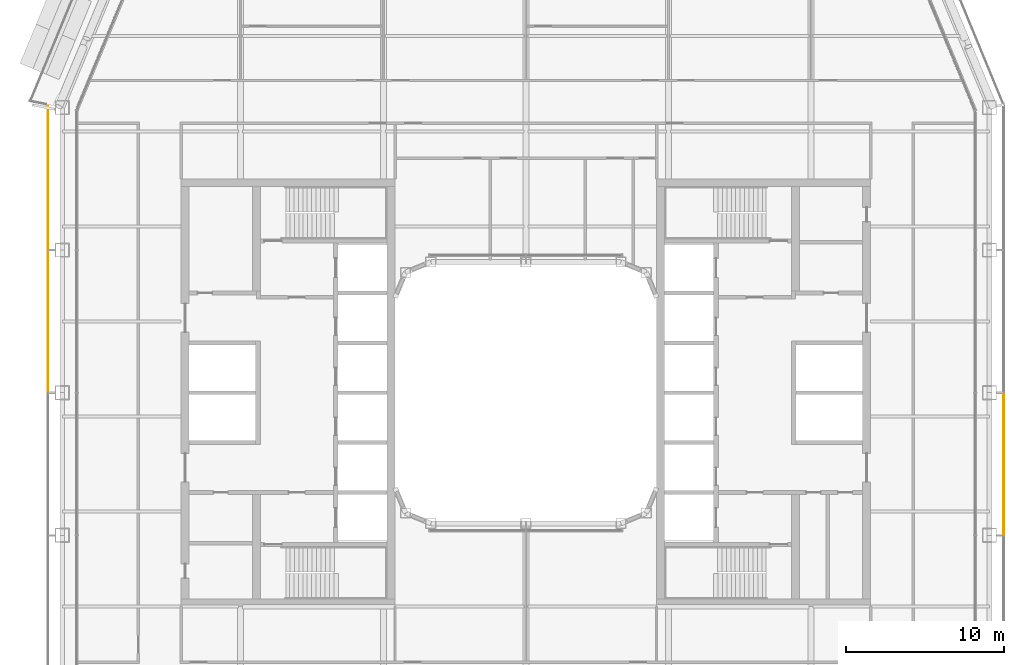
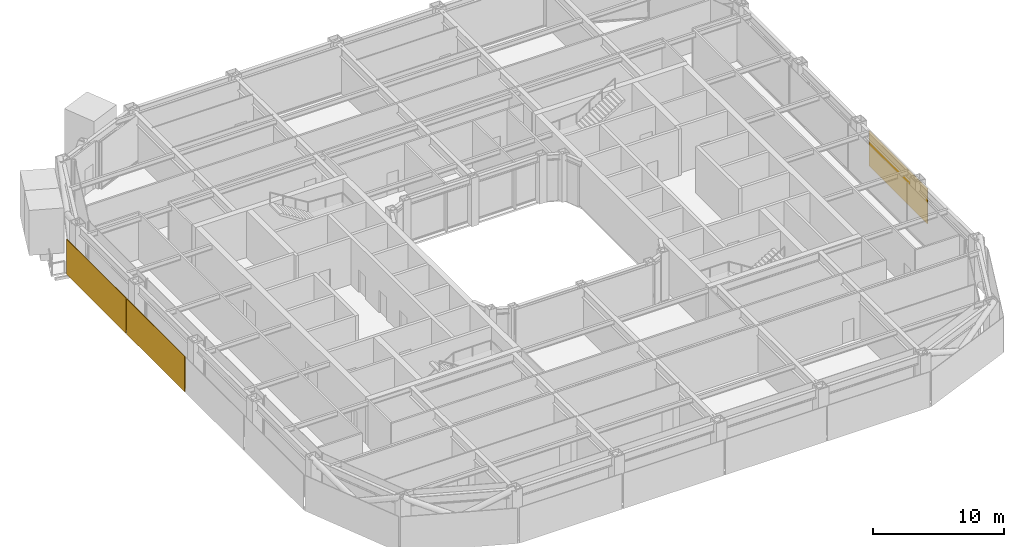
# One storey, part 20 of 23: 3 coverings.
"""IFC4 building model written with IfcOpenShell, lengths in metres."""

from ifc_helpers import new_model, si_unit, direction, frame, origin, origin_2d, place, context, subcontext, project, spatial, rectangle, extrude, material, layer, layer_set, type_object, element, save


model = new_model("IFC4")

# Units and contexts
model_context = context("Model", 3, precision=1e-05, world=origin(), true_north=direction((0.0, 1.0)))
body_context = subcontext(model_context, "Body", "Model", "MODEL_VIEW")
ifc_project = project(units=[si_unit("LENGTHUNIT", "METRE"), si_unit("AREAUNIT", "SQUARE_METRE"), si_unit("VOLUMEUNIT", "CUBIC_METRE"), si_unit("PLANEANGLEUNIT", "RADIAN"), si_unit("MASSUNIT", "GRAM", prefix="KILO")], contexts=[model_context])

# Site, building, storey
site_placement = place(None, origin())
site = spatial("IfcSite", under=ifc_project, at=site_placement, CompositionType="ELEMENT")
building_placement = place(site_placement, origin())
building = spatial("IfcBuilding", under=site, at=building_placement, Name="Siwar Civic Tower", CompositionType="ELEMENT")
storey_placement = place(building_placement, frame((0.0, 0.0, 154.199951171875)))
storey = spatial("IfcBuildingStorey", under=building, at=storey_placement, Name="L33", CompositionType="ELEMENT", Elevation=154.199951171875)

# Coverings
ifc_material_1 = material(Name="Perforated aluminium cassette, pale metal", Category="aluminium")
ifc_layer_1 = layer(ifc_material_1, 0.0400390625)
ifc_layer_set_1 = layer_set([ifc_layer_1], Name="Perforated aluminium cassette, pale metal")
covering_type_1 = type_object("IfcCoveringType", Name="ENV-OUTER SKIN OS-1", PredefinedType="CLADDING", material=ifc_layer_set_1)
covering_1_placement = place(storey_placement, frame((30.14990234375, -4.5, -0.14990234375), z_axis=(0.0, 0.0, 1.0), x_axis=(0.0, 1.0, 0.0)))
element("IfcCovering", 1, at=covering_1_placement, inside=storey, type_object=covering_type_1, Name="OUTER SKIN OS-1 E 2", PredefinedType="CLADDING", context=body_context, shape_type="SweptSolid", body=[
    extrude(rectangle(XDim=8.89990234375, YDim=0.0400390625, at=origin_2d()), origin(), (0.0, 0.0, 1.0), 3.300048828125),
])
ifc_material_2 = material(Name="Perforated aluminium cassette, pale metal", Category="aluminium")
ifc_layer_2 = layer(ifc_material_2, 0.050048828125)
ifc_layer_set_2 = layer_set([ifc_layer_2], Name="Perforated aluminium cassette, pale metal")
covering_type_2 = type_object("IfcCoveringType", Name="ENV-OUTER SKIN OS-3", PredefinedType="CLADDING", material=ifc_layer_set_2)
covering_2_placement = place(storey_placement, frame((-30.14990234375, 13.57958984375, -0.14990234375), z_axis=(0.0, 0.0, 1.0), x_axis=(0.0, -1.0, 0.0)))
element("IfcCovering", 2, at=covering_2_placement, inside=storey, type_object=covering_type_2, Name="OUTER SKIN OS-3 W 1", PredefinedType="CLADDING", context=body_context, shape_type="SweptSolid", body=[
    extrude(rectangle(XDim=9.05908203125, YDim=0.050048828125, at=origin_2d()), origin(), (0.0, 0.0, 1.0), 3.300048828125),
])
covering_3_placement = place(storey_placement, frame((-30.14990234375, 4.5, -0.14990234375), z_axis=(0.0, 0.0, 1.0), x_axis=(0.0, -1.0, 0.0)))
element("IfcCovering", 3, at=covering_3_placement, inside=storey, type_object=covering_type_2, Name="OUTER SKIN OS-3 W 2", PredefinedType="CLADDING", context=body_context, shape_type="SweptSolid", body=[
    extrude(rectangle(XDim=8.89990234375, YDim=0.050048828125, at=origin_2d()), origin(), (0.0, 0.0, 1.0), 3.300048828125),
])

save(model, "model.ifc")
